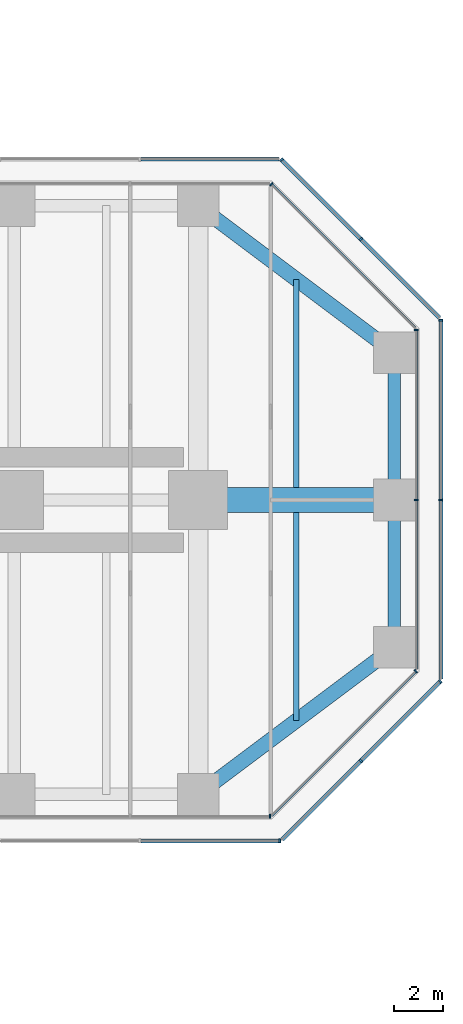
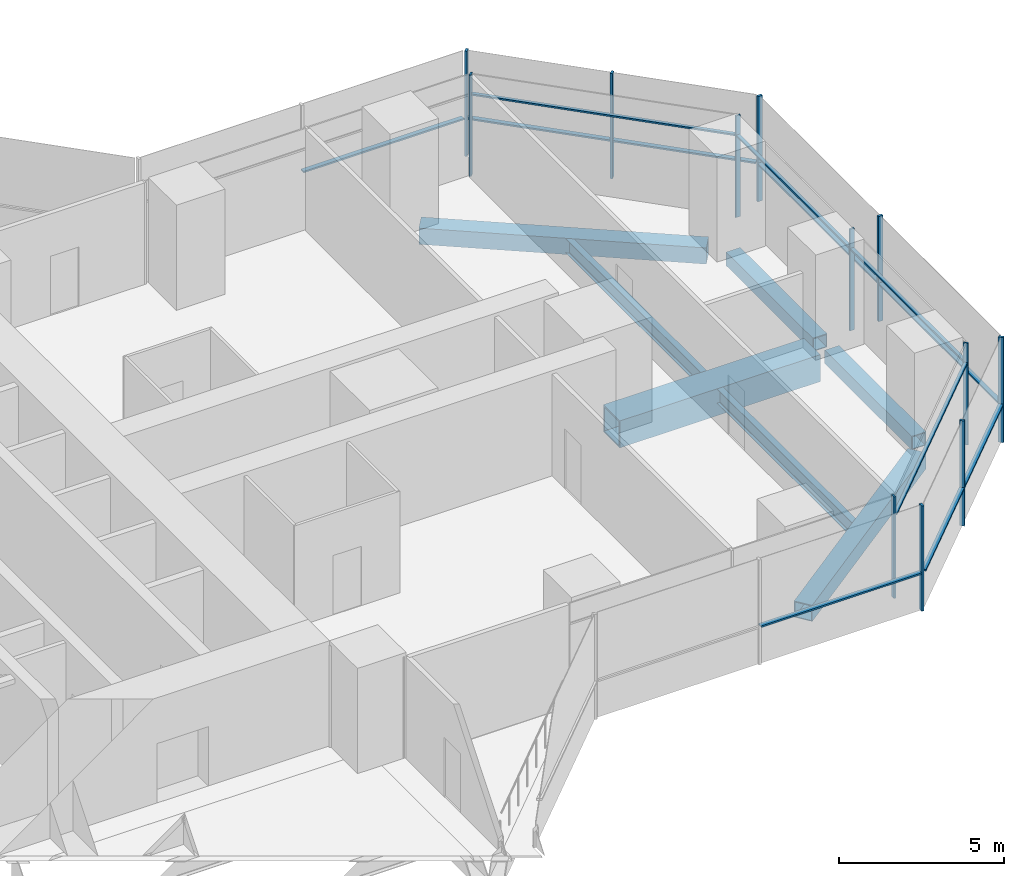
# One storey, part 11 of 20: 24 members, 7 beams, 9 elements without a shape of their own.
"""IFC4 building model written with IfcOpenShell, lengths in metres."""

import ifcopenshell
import ifcopenshell.guid

model = None  # the IFC model being written
_history = None  # IfcOwnerHistory: only IFC2X3 demands one
_inside = {}  # id of a spatial element -> (the spatial element, [elements in it])
_under = {}  # id of a project, library or spatial element -> (it, [spatial elements below it])
_declared = {}  # id of a project -> (the project, [libraries it declares])
_typed = {}  # id of a type object -> (the type object, [elements of that type])
_made_of = {}  # id of a material, layer set ... -> (it, [elements and type objects made of it])


def new_model(schema):
    """Start an empty IFC model of exactly this schema.

    Asked for "IFC4X3", IfcOpenShell would pick the latest addendum, in which some entities
    have other attributes; the version numbers below select the first issue.
    IFC2X3 requires an IfcOwnerHistory on every rooted entity: one is made here for all.
    """
    global model, _history
    if schema == "IFC4X3":
        model = ifcopenshell.file(schema_version=(4, 3, 0, 0))
    else:
        model = ifcopenshell.file(schema=schema)
    _inside.clear()
    _under.clear()
    _declared.clear()
    _typed.clear()
    _made_of.clear()
    _history = None
    if model.schema == "IFC2X3":
        org = make("IfcOrganization", Name="unknown")
        user = make(
            "IfcPersonAndOrganization",
            ThePerson=make("IfcPerson", FamilyName="unknown"),
            TheOrganization=org,
        )
        app = make(
            "IfcApplication",
            ApplicationDeveloper=org,
            Version="unknown",
            ApplicationFullName="unknown",
            ApplicationIdentifier="unknown",
        )
        _history = make(
            "IfcOwnerHistory",
            OwningUser=user,
            OwningApplication=app,
            ChangeAction="ADDED",
            CreationDate=0,
        )
    return model


def make(cls, **values):
    """One entity of the class cls with the attributes given. An attribute that is None is left unset."""
    return model.create_entity(
        cls, **{name: value for name, value in values.items() if value is not None}
    )


def rooted(cls, **values):
    """An entity with a GlobalId (a new one), such as an element, a storey or a relation."""
    return make(cls, GlobalId=ifcopenshell.guid.new(), OwnerHistory=_history, **values)


def si_unit(unit_type, name, prefix=None):
    """IfcSIUnit, for example si_unit("LENGTHUNIT", "METRE", prefix="MILLI")."""
    return make("IfcSIUnit", UnitType=unit_type, Prefix=prefix, Name=name)


def assignment(units):
    """IfcUnitAssignment: the units of a project."""
    return None if units is None else make("IfcUnitAssignment", Units=units)


def point(xyz):
    """IfcCartesianPoint."""
    return None if xyz is None else make("IfcCartesianPoint", Coordinates=xyz)


def direction(xyz):
    """IfcDirection."""
    return None if xyz is None else make("IfcDirection", DirectionRatios=xyz)


def frame(location, z_axis=None, x_axis=None):
    """IfcAxis2Placement3D, a coordinate frame: its origin and axes. An axis left out is left unset."""
    return make(
        "IfcAxis2Placement3D",
        Location=point(location),
        Axis=direction(z_axis),
        RefDirection=direction(x_axis),
    )


def frame_2d(location, x_axis=None):
    """IfcAxis2Placement2D, a coordinate frame in the plane: its origin and x axis."""
    return make(
        "IfcAxis2Placement2D", Location=point(location), RefDirection=direction(x_axis)
    )


def origin():
    """The frame at (0, 0, 0) with its axes left unset."""
    return frame((0.0, 0.0, 0.0))


def origin_2d():
    """The frame at (0, 0) in the plane with its x axis left unset."""
    return frame_2d((0.0, 0.0))


def place(relative_to, where):
    """IfcLocalPlacement: puts the frame where relative to a parent placement (None: the world)."""
    return make(
        "IfcLocalPlacement", PlacementRelTo=relative_to, RelativePlacement=where
    )


def context(
    kind, dimensions, precision=None, world=None, true_north=None, identifier=None
):
    """IfcGeometricRepresentationContext, for example the 3D "Model" context."""
    return make(
        "IfcGeometricRepresentationContext",
        ContextIdentifier=identifier,
        ContextType=kind,
        CoordinateSpaceDimension=dimensions,
        Precision=precision,
        WorldCoordinateSystem=world,
        TrueNorth=true_north,
    )


def subcontext(parent, identifier, kind, view, scale=None):
    """IfcGeometricRepresentationSubContext, for example "Body" below "Model"."""
    return make(
        "IfcGeometricRepresentationSubContext",
        ContextIdentifier=identifier,
        ContextType=kind,
        ParentContext=parent,
        TargetScale=scale,
        TargetView=view,
    )


def project(units=None, contexts=None):
    """IfcProject with its units and contexts."""
    return rooted(
        "IfcProject",
        Name="project",
        RepresentationContexts=contexts,
        UnitsInContext=assignment(units),
    )


def spatial(cls, under=None, at=None, **own):
    """A site, building, storey or space (cls), placed at a placement, below another one or the project."""
    s = rooted(cls, ObjectPlacement=at, **own)
    if under is not None:
        _under.setdefault(under.id(), (under, []))[1].append(s)
    return s


def profile(cls, at=None, kind="AREA", **sizes):
    """A parametric profile (cls). Its sizes go by their IFC names, for example OverallWidth=200.0."""
    return make(cls, ProfileType=kind, Position=at, **sizes)


def rectangle(**sizes):
    """IfcRectangleProfileDef."""
    return profile("IfcRectangleProfileDef", **sizes)


def hollow_rectangle(**sizes):
    """IfcRectangleHollowProfileDef."""
    return profile("IfcRectangleHollowProfileDef", **sizes)


def i_section(**sizes):
    """IfcIShapeProfileDef."""
    return profile("IfcIShapeProfileDef", **sizes)


def extrude(swept, where, along, depth):
    """IfcExtrudedAreaSolid: the profile swept, set in the frame where, extruded along a direction by depth."""
    return make(
        "IfcExtrudedAreaSolid",
        SweptArea=swept,
        Position=where,
        ExtrudedDirection=direction(along),
        Depth=depth,
    )


def shape(context_of_items, identifier, shape_type, items):
    """IfcShapeRepresentation: the items that make up one representation, for example the "Body"."""
    return make(
        "IfcShapeRepresentation",
        ContextOfItems=context_of_items,
        RepresentationIdentifier=identifier,
        RepresentationType=shape_type,
        Items=items,
    )


def material(Name=None, Category=None):
    """IfcMaterial."""
    return make("IfcMaterial", Name=Name, Category=Category)


def material_profile(
    of_material, cross_section, Name=None, Category=None, Priority=None
):
    """IfcMaterialProfile: a cross section and its material."""
    return make(
        "IfcMaterialProfile",
        Name=Name,
        Material=of_material,
        Profile=cross_section,
        Priority=Priority,
        Category=Category,
    )


def profile_set(profiles, Name=None, composite=None):
    """IfcMaterialProfileSet."""
    return make(
        "IfcMaterialProfileSet",
        Name=Name,
        MaterialProfiles=profiles,
        CompositeProfile=composite,
    )


def made_of(thing, what):
    """Note that an element or type object is made of a material, layer set ...; save() writes the relation."""
    if what is not None:
        _made_of.setdefault(what.id(), (what, []))[1].append(thing)
    return thing


def type_object(cls, material=None, **own):
    """A type object (cls), such as IfcWallType, which elements share."""
    return made_of(rooted(cls, **own), material)


def element(
    cls,
    number,
    at=None,
    inside=None,
    cuts=None,
    type_object=None,
    material=None,
    context=None,
    identifier="Body",
    shape_type=None,
    held_by="IfcProductDefinitionShape",
    body=None,
    shapes=None,
    **own,
):
    """One element of the class cls, such as IfcWall. Its Tag is "e" and its number.

    at: its placement. inside: the storey or other place that contains it. cuts: it is an
    opening in that element (IfcRelVoidsElement). A single representation is given by context,
    identifier, shape_type and body (its items); several are given by shapes. held_by: the class
    of the entity that holds the representations. save() writes the other relations.
    """
    e = rooted(cls, Tag="e%d" % number, ObjectPlacement=at, **own)
    if body is not None:
        shapes = [shape(context, identifier, shape_type, body)]
    if shapes is not None:
        e.Representation = make(held_by, Representations=shapes)
    if inside is not None:
        _inside.setdefault(inside.id(), (inside, []))[1].append(e)
    if cuts is not None:
        rooted(
            "IfcRelVoidsElement", RelatingBuildingElement=cuts, RelatedOpeningElement=e
        )
    if type_object is not None:
        _typed.setdefault(type_object.id(), (type_object, []))[1].append(e)
    return made_of(e, material)


def aggregate(whole, parts):
    """IfcRelAggregates: a whole, such as a stair, and the parts it consists of."""
    return rooted("IfcRelAggregates", RelatingObject=whole, RelatedObjects=parts)


def save(model, path):
    """Write the relations noted so far, then the file.

    IfcRelAggregates (storeys below a building ...), IfcRelContainedInSpatialStructure (elements
    in a storey), IfcRelDefinesByType, IfcRelAssociatesMaterial and IfcRelDeclares: one each for
    every whole, place, type object, material and project.
    """
    for whole, parts in _under.values():
        aggregate(whole, parts)
    for where, things in _inside.values():
        rooted(
            "IfcRelContainedInSpatialStructure",
            RelatedElements=things,
            RelatingStructure=where,
        )
    for kind, things in _typed.values():
        rooted("IfcRelDefinesByType", RelatedObjects=things, RelatingType=kind)
    for what, things in _made_of.values():
        rooted("IfcRelAssociatesMaterial", RelatedObjects=things, RelatingMaterial=what)
    for by, libraries in _declared.values():
        rooted("IfcRelDeclares", RelatingContext=by, RelatedDefinitions=libraries)
    model.write(path)


model = new_model("IFC4")

# Units and contexts
model_context = context("Model", 3, precision=1e-05, world=origin(), true_north=direction((0.0, 1.0)))
body_context = subcontext(model_context, "Body", "Model", "MODEL_VIEW")
ifc_project = project(units=[si_unit("LENGTHUNIT", "METRE"), si_unit("AREAUNIT", "SQUARE_METRE"), si_unit("VOLUMEUNIT", "CUBIC_METRE"), si_unit("PLANEANGLEUNIT", "RADIAN"), si_unit("MASSUNIT", "GRAM", prefix="KILO")], contexts=[model_context])

# Site, building, storey
site_placement = place(None, origin())
site = spatial("IfcSite", under=ifc_project, at=site_placement, CompositionType="ELEMENT")
building_placement = place(site_placement, origin())
building = spatial("IfcBuilding", under=site, at=building_placement, Name="Mizan Broadcast Tower", CompositionType="ELEMENT")
storey_placement = place(building_placement, frame((0.0, 0.0, 190.5)))
storey = spatial("IfcBuildingStorey", under=building, at=storey_placement, Name="L44", CompositionType="ELEMENT", Elevation=190.5)

# Beams
ifc_material_1 = material(Name="Steel S355", Category="steel")
ifc_material_profile_1 = material_profile(ifc_material_1, hollow_rectangle(XDim=0.5, YDim=0.5, WallThickness=0.030029296875, at=origin_2d()), Name="BOX 500x500x30")
ifc_profile_set_1 = profile_set([ifc_material_profile_1], Name="Steel S355")
beam_type_1 = type_object("IfcBeamType", Name="EDGE BEAM BOX 500x500x30", PredefinedType="SPANDREL", material=ifc_profile_set_1)
for number, where, z_axis, x_axis, name in (
    (1, (35.0, -5.639892578125, -0.3798828125), (0.0, 1.0, 0.0), (-1.0, 0.0, 0.0), "Edge beam BOX 500x500x30 L44 east arm"),
    (2, (35.0, 5.639892578125, -0.3798828125), (0.0, -1.0, 0.0), (1.0, 0.0, 0.0), "Edge beam BOX 500x500x30 L44 east arm"),
):
    element("IfcBeam", number, at=place(storey_placement, frame(where, z_axis=z_axis, x_axis=x_axis)), inside=storey, type_object=beam_type_1, Name=name, PredefinedType="SPANDREL", context=body_context, shape_type="SweptSolid", body=[
        extrude(hollow_rectangle(XDim=0.5, YDim=0.5, WallThickness=0.030029296875, at=origin_2d()), origin(), (0.0, 0.0, 1.0), 5.27978515625),
    ])
ifc_material_2 = material(Name="Steel S355", Category="steel")
ifc_material_profile_2 = material_profile(ifc_material_2, hollow_rectangle(XDim=0.60009765625, YDim=0.60009765625, WallThickness=0.030029296875, at=origin_2d()), Name="BOX 600x600x30")
ifc_profile_set_2 = profile_set([ifc_material_profile_2], Name="Steel S355")
beam_type_2 = type_object("IfcBeamType", Name="EDGE BEAM BOX 600x600x30", PredefinedType="SPANDREL", material=ifc_profile_set_2)
for number, where, z_axis, x_axis, name in (
    (3, (27.47998046875, -11.639892578125, -0.429931640625), (0.800013316712, 0.599982243973, 0.0), (-0.599982243973, 0.800013316712, 0.0), "Edge beam BOX 600x600x30 L44 east arm"),
    (4, (27.47998046875, 11.639892578125, -0.429931640625), (0.800013316712, -0.599982243973, 0.0), (0.599982243973, 0.800013316712, 0.0), "Edge beam BOX 600x600x30 L44 east arm"),
):
    element("IfcBeam", number, at=place(storey_placement, frame(where, z_axis=z_axis, x_axis=x_axis)), inside=storey, type_object=beam_type_2, Name=name, PredefinedType="SPANDREL", context=body_context, shape_type="SweptSolid", body=[
        extrude(hollow_rectangle(XDim=0.60009765625, YDim=0.60009765625, WallThickness=0.030029296875, at=origin_2d()), origin(), (0.0, 0.0, 1.0), 8.7998046875),
    ])
ifc_material_3 = material(Name="Steel S460", Category="steel")
ifc_material_profile_3 = material_profile(ifc_material_3, hollow_rectangle(XDim=1.0, YDim=1.0, WallThickness=0.06005859375, at=origin_2d()), Name="BOX 1000x1000x60")
ifc_profile_set_3 = profile_set([ifc_material_profile_3], Name="Steel S460")
beam_type_3 = type_object("IfcBeamType", Name="GIRDER BOX 1000x1000x60", PredefinedType="BEAM", material=ifc_profile_set_3)
beam_placement = place(storey_placement, frame((27.47998046875, 0.0, -0.6298828125), z_axis=(1.0, 0.0, 0.0), x_axis=(0.0, 1.0, 0.0)))
element("IfcBeam", 5, at=beam_placement, inside=storey, type_object=beam_type_3, Name="Girder BOX 1000x1000x60 L44 east arm", PredefinedType="BEAM", context=body_context, shape_type="SweptSolid", body=[
    extrude(hollow_rectangle(XDim=1.0, YDim=1.0, WallThickness=0.06005859375, at=origin_2d()), origin(), (0.0, 0.0, 1.0), 7.0400390625),
])

# Curtain wall, member
ifc_material_4 = material(Name="Aluminium framed glazing", Category="aluminium")
curtain_wall_type_1 = type_object("IfcCurtainWallType", Name="INNER SKIN MID ZONE", PredefinedType="USERDEFINED", material=ifc_material_4)
curtain_wall_1_placement = place(storey_placement, origin())
curtain_wall_1 = element("IfcCurtainWall", 6, at=curtain_wall_1_placement, inside=storey, type_object=curtain_wall_type_1, Name="Inner skin mid zone L44 E side", ObjectType="INNER SKIN MID ZONE", PredefinedType="USERDEFINED")
ifc_material_5 = material(Name="Aluminium, pale anodised", Category="aluminium")
ifc_material_profile_4 = material_profile(ifc_material_5, rectangle(XDim=0.159912109375, YDim=0.06005859375, at=origin_2d()), Name="MULLION 160x60")
ifc_profile_set_4 = profile_set([ifc_material_profile_4], Name="Aluminium, pale anodised")
member_type_1 = type_object("IfcMemberType", Name="INNER SKIN MULLION 60x160", PredefinedType="MULLION", material=ifc_profile_set_4)
member_1_placement = place(storey_placement, frame((29.928466796875, -12.89990234375, 0.0), z_axis=(0.0, 0.0, 1.0), x_axis=(0.0, 1.0, 0.0)))
member_1 = element("IfcMember", 7, at=member_1_placement, type_object=member_type_1, Name="Inner skin mid zone L44 E side mullion 3", PredefinedType="MULLION", context=body_context, shape_type="SweptSolid", body=[
    extrude(rectangle(XDim=0.159912109375, YDim=0.06005859375, at=origin_2d()), origin(), (0.0, 0.0, 1.0), 3.77001953125),
])
aggregate(curtain_wall_1, [member_1])

curtain_wall_2_placement = place(storey_placement, origin())
curtain_wall_2 = element("IfcCurtainWall", 8, at=curtain_wall_2_placement, inside=storey, type_object=curtain_wall_type_1, Name="Inner skin mid zone L44 E chamfer", ObjectType="INNER SKIN MID ZONE", PredefinedType="USERDEFINED")
member_2_placement = place(storey_placement, frame((35.87890625, -6.979736328125, 0.0), z_axis=(0.0, 0.0, 1.0), x_axis=(-0.707106781187, 0.707106781187, 0.0)))
member_2 = element("IfcMember", 9, at=member_2_placement, type_object=member_type_1, Name="Inner skin mid zone L44 E chamfer mullion 2", PredefinedType="MULLION", context=body_context, shape_type="SweptSolid", body=[
    extrude(rectangle(XDim=0.159912109375, YDim=0.06005859375, at=origin_2d()), origin(), (0.0, 0.0, 1.0), 3.77001953125),
])

# Curtain wall, members
curtain_wall_3_placement = place(storey_placement, origin())
curtain_wall_3 = element("IfcCurtainWall", 10, at=curtain_wall_3_placement, inside=storey, type_object=curtain_wall_type_1, Name="Inner skin mid zone L44 E end", ObjectType="INNER SKIN MID ZONE", PredefinedType="USERDEFINED")
member_3_placement = place(storey_placement, frame((35.89990234375, 0.0, 0.0), z_axis=(0.0, 0.0, 1.0), x_axis=(-1.0, 0.0, 0.0)))
member_3 = element("IfcMember", 11, at=member_3_placement, type_object=member_type_1, Name="Inner skin mid zone L44 E end mullion 2", PredefinedType="MULLION", context=body_context, shape_type="SweptSolid", body=[
    extrude(rectangle(XDim=0.159912109375, YDim=0.06005859375, at=origin_2d()), origin(), (0.0, 0.0, 1.0), 3.77001953125),
])
member_4_placement = place(storey_placement, frame((35.89990234375, 6.928466796875, 0.0), z_axis=(0.0, 0.0, 1.0), x_axis=(-1.0, 0.0, 0.0)))
member_4 = element("IfcMember", 12, at=member_4_placement, type_object=member_type_1, Name="Inner skin mid zone L44 E end mullion 3", PredefinedType="MULLION", context=body_context, shape_type="SweptSolid", body=[
    extrude(rectangle(XDim=0.159912109375, YDim=0.06005859375, at=origin_2d()), origin(), (0.0, 0.0, 1.0), 3.77001953125),
])

# Curtain wall, member
curtain_wall_4_placement = place(storey_placement, origin())
curtain_wall_4 = element("IfcCurtainWall", 13, at=curtain_wall_4_placement, inside=storey, type_object=curtain_wall_type_1, Name="Inner skin mid zone L44 E chamfer", ObjectType="INNER SKIN MID ZONE", PredefinedType="USERDEFINED")
member_5_placement = place(storey_placement, frame((29.979736328125, 12.87890625, 0.0), z_axis=(0.0, 0.0, 1.0), x_axis=(-0.707106781187, -0.707106781187, 0.0)))
member_5 = element("IfcMember", 14, at=member_5_placement, type_object=member_type_1, Name="Inner skin mid zone L44 E chamfer mullion 2", PredefinedType="MULLION", context=body_context, shape_type="SweptSolid", body=[
    extrude(rectangle(XDim=0.159912109375, YDim=0.06005859375, at=origin_2d()), origin(), (0.0, 0.0, 1.0), 3.77001953125),
])

# Member
ifc_material_6 = material(Name="Aluminium, pale anodised", Category="aluminium")
ifc_material_profile_5 = material_profile(ifc_material_6, rectangle(XDim=0.1201171875, YDim=0.06005859375, at=origin_2d()), Name="TRANSOM 120x60")
ifc_profile_set_5 = profile_set([ifc_material_profile_5], Name="Aluminium, pale anodised")
member_type_2 = type_object("IfcMemberType", Name="INNER SKIN TRANSOM 60x120", PredefinedType="USERDEFINED", material=ifc_profile_set_5)
member_6_placement = place(storey_placement, frame((30.0009765625, -12.857666015625, 3.030029296875), z_axis=(0.707106781187, 0.707106781187, 0.0), x_axis=(-0.707106781187, 0.707106781187, 0.0)))
member_6 = element("IfcMember", 15, at=member_6_placement, type_object=member_type_2, Name="Inner skin mid zone L44 E chamfer transom 1.1", ObjectType="TRANSOM", PredefinedType="USERDEFINED", context=body_context, shape_type="SweptSolid", body=[
    extrude(rectangle(XDim=0.1201171875, YDim=0.06005859375, at=origin_2d()), origin(), (0.0, 0.0, 1.0), 8.28271484375),
])

aggregate(curtain_wall_2, [member_2, member_6])

member_7_placement = place(storey_placement, frame((35.89990234375, -6.898681640625, 3.030029296875), z_axis=(0.0, 1.0, 0.0), x_axis=(-1.0, 0.0, 0.0)))
member_7 = element("IfcMember", 16, at=member_7_placement, type_object=member_type_2, Name="Inner skin mid zone L44 E end transom 1.1", ObjectType="TRANSOM", PredefinedType="USERDEFINED", context=body_context, shape_type="SweptSolid", body=[
    extrude(rectangle(XDim=0.1201171875, YDim=0.06005859375, at=origin_2d()), origin(), (0.0, 0.0, 1.0), 6.86865234375),
])

member_8_placement = place(storey_placement, frame((35.89990234375, 0.030029296875, 3.030029296875), z_axis=(0.0, 1.0, 0.0), x_axis=(-1.0, 0.0, 0.0)))
member_8 = element("IfcMember", 17, at=member_8_placement, type_object=member_type_2, Name="Inner skin mid zone L44 E end transom 2.1", ObjectType="TRANSOM", PredefinedType="USERDEFINED", context=body_context, shape_type="SweptSolid", body=[
    extrude(rectangle(XDim=0.1201171875, YDim=0.06005859375, at=origin_2d()), origin(), (0.0, 0.0, 1.0), 6.86865234375),
])

aggregate(curtain_wall_3, [member_3, member_4, member_7, member_8])

member_9_placement = place(storey_placement, frame((35.857666015625, 7.0009765625, 3.030029296875), z_axis=(-0.707106781187, 0.707106781187, 0.0), x_axis=(-0.707106781187, -0.707106781187, 0.0)))
member_9 = element("IfcMember", 18, at=member_9_placement, type_object=member_type_2, Name="Inner skin mid zone L44 E chamfer transom 1.1", ObjectType="TRANSOM", PredefinedType="USERDEFINED", context=body_context, shape_type="SweptSolid", body=[
    extrude(rectangle(XDim=0.1201171875, YDim=0.06005859375, at=origin_2d()), origin(), (0.0, 0.0, 1.0), 8.28271484375),
])

aggregate(curtain_wall_4, [member_5, member_9])

# Curtain wall, members
ifc_material_7 = material(Name="Aluminium framed glazing", Category="aluminium")
curtain_wall_type_2 = type_object("IfcCurtainWallType", Name="OUTER SKIN", PredefinedType="USERDEFINED", material=ifc_material_7)
curtain_wall_5_placement = place(storey_placement, origin())
curtain_wall_5 = element("IfcCurtainWall", 19, at=curtain_wall_5_placement, inside=storey, type_object=curtain_wall_type_2, Name="Outer skin L44 E chamfer", ObjectType="OUTER SKIN", PredefinedType="USERDEFINED")
ifc_material_8 = material(Name="Aluminium, pale anodised", Category="aluminium")
ifc_material_profile_6 = material_profile(ifc_material_8, rectangle(XDim=0.159912109375, YDim=0.080078125, at=origin_2d()), Name="MULLION 160x80")
ifc_profile_set_6 = profile_set([ifc_material_profile_6], Name="Aluminium, pale anodised")
member_type_3 = type_object("IfcMemberType", Name="OUTER SKIN MULLION 80x160", PredefinedType="MULLION", material=ifc_profile_set_6)
member_10_placement = place(storey_placement, frame((33.636474609375, -10.636474609375, 0.0), z_axis=(0.0, 0.0, 1.0), x_axis=(-0.707106781187, 0.707106781187, 0.0)))
member_10 = element("IfcMember", 20, at=member_10_placement, type_object=member_type_3, Name="Outer skin L44 E chamfer mullion 2", PredefinedType="MULLION", context=body_context, shape_type="SweptSolid", body=[
    extrude(rectangle(XDim=0.159912109375, YDim=0.080078125, at=origin_2d()), origin(), (0.0, 0.0, 1.0), 3.89990234375),
])
member_11_placement = place(storey_placement, frame((36.871826171875, -7.401123046875, 0.0), z_axis=(0.0, 0.0, 1.0), x_axis=(-0.707106781187, 0.707106781187, 0.0)))
member_11 = element("IfcMember", 21, at=member_11_placement, type_object=member_type_3, Name="Outer skin L44 E chamfer mullion 3", PredefinedType="MULLION", context=body_context, shape_type="SweptSolid", body=[
    extrude(rectangle(XDim=0.159912109375, YDim=0.080078125, at=origin_2d()), origin(), (0.0, 0.0, 1.0), 3.89990234375),
])

curtain_wall_6_placement = place(storey_placement, origin())
curtain_wall_6 = element("IfcCurtainWall", 22, at=curtain_wall_6_placement, inside=storey, type_object=curtain_wall_type_2, Name="Outer skin L44 E end", ObjectType="OUTER SKIN", PredefinedType="USERDEFINED")
member_12_placement = place(storey_placement, frame((36.89990234375, 0.0, 0.0), z_axis=(0.0, 0.0, 1.0), x_axis=(-1.0, 0.0, 0.0)))
member_12 = element("IfcMember", 23, at=member_12_placement, type_object=member_type_3, Name="Outer skin L44 E end mullion 2", PredefinedType="MULLION", context=body_context, shape_type="SweptSolid", body=[
    extrude(rectangle(XDim=0.159912109375, YDim=0.080078125, at=origin_2d()), origin(), (0.0, 0.0, 1.0), 3.89990234375),
])
member_13_placement = place(storey_placement, frame((36.89990234375, 7.332763671875, 0.0), z_axis=(0.0, 0.0, 1.0), x_axis=(-1.0, 0.0, 0.0)))
member_13 = element("IfcMember", 24, at=member_13_placement, type_object=member_type_3, Name="Outer skin L44 E end mullion 3", PredefinedType="MULLION", context=body_context, shape_type="SweptSolid", body=[
    extrude(rectangle(XDim=0.159912109375, YDim=0.080078125, at=origin_2d()), origin(), (0.0, 0.0, 1.0), 3.89990234375),
])

curtain_wall_7_placement = place(storey_placement, origin())
curtain_wall_7 = element("IfcCurtainWall", 25, at=curtain_wall_7_placement, inside=storey, type_object=curtain_wall_type_2, Name="Outer skin L44 E chamfer", ObjectType="OUTER SKIN", PredefinedType="USERDEFINED")
member_14_placement = place(storey_placement, frame((33.636474609375, 10.636474609375, 0.0), z_axis=(0.0, 0.0, 1.0), x_axis=(-0.707106781187, -0.707106781187, 0.0)))
member_14 = element("IfcMember", 26, at=member_14_placement, type_object=member_type_3, Name="Outer skin L44 E chamfer mullion 2", PredefinedType="MULLION", context=body_context, shape_type="SweptSolid", body=[
    extrude(rectangle(XDim=0.159912109375, YDim=0.080078125, at=origin_2d()), origin(), (0.0, 0.0, 1.0), 3.89990234375),
])
member_15_placement = place(storey_placement, frame((30.401123046875, 13.871826171875, 0.0), z_axis=(0.0, 0.0, 1.0), x_axis=(-0.707106781187, -0.707106781187, 0.0)))
member_15 = element("IfcMember", 27, at=member_15_placement, type_object=member_type_3, Name="Outer skin L44 E chamfer mullion 3", PredefinedType="MULLION", context=body_context, shape_type="SweptSolid", body=[
    extrude(rectangle(XDim=0.159912109375, YDim=0.080078125, at=origin_2d()), origin(), (0.0, 0.0, 1.0), 3.89990234375),
])

# Curtain wall, member
curtain_wall_8_placement = place(storey_placement, origin())
curtain_wall_8 = element("IfcCurtainWall", 28, at=curtain_wall_8_placement, inside=storey, type_object=curtain_wall_type_2, Name="Outer skin L44 E side", ObjectType="OUTER SKIN", PredefinedType="USERDEFINED")
member_16_placement = place(storey_placement, frame((30.332763671875, -13.89990234375, 0.0), z_axis=(0.0, 0.0, 1.0), x_axis=(0.0, 1.0, 0.0)))
member_16 = element("IfcMember", 29, at=member_16_placement, type_object=member_type_3, Name="Outer skin L44 E side mullion 3", PredefinedType="MULLION", context=body_context, shape_type="SweptSolid", body=[
    extrude(rectangle(XDim=0.159912109375, YDim=0.080078125, at=origin_2d()), origin(), (0.0, 0.0, 1.0), 3.89990234375),
])

# Member
ifc_material_9 = material(Name="Aluminium, pale anodised", Category="aluminium")
ifc_material_profile_7 = material_profile(ifc_material_9, rectangle(XDim=0.159912109375, YDim=0.06005859375, at=origin_2d()), Name="TRANSOM 160x60")
ifc_profile_set_7 = profile_set([ifc_material_profile_7], Name="Aluminium, pale anodised")
member_type_4 = type_object("IfcMemberType", Name="OUTER SKIN TRANSOM 60x160", PredefinedType="USERDEFINED", material=ifc_profile_set_7)
member_17_placement = place(storey_placement, frame((30.429443359375, -13.843505859375, 1.39990234375), z_axis=(0.707106781187, 0.707106781187, 0.0), x_axis=(-0.707106781187, 0.707106781187, 0.0)))
member_17 = element("IfcMember", 30, at=member_17_placement, type_object=member_type_4, Name="Outer skin L44 E chamfer transom 1.1", ObjectType="TRANSOM", PredefinedType="USERDEFINED", context=body_context, shape_type="SweptSolid", body=[
    extrude(rectangle(XDim=0.159912109375, YDim=0.06005859375, at=origin_2d()), origin(), (0.0, 0.0, 1.0), 4.495361328125),
])

member_18_placement = place(storey_placement, frame((33.664794921875, -10.608154296875, 1.39990234375), z_axis=(0.707106781187, 0.707106781187, 0.0), x_axis=(-0.707106781187, 0.707106781187, 0.0)))
member_18 = element("IfcMember", 31, at=member_18_placement, type_object=member_type_4, Name="Outer skin L44 E chamfer transom 2.1", ObjectType="TRANSOM", PredefinedType="USERDEFINED", context=body_context, shape_type="SweptSolid", body=[
    extrude(rectangle(XDim=0.159912109375, YDim=0.06005859375, at=origin_2d()), origin(), (0.0, 0.0, 1.0), 4.495361328125),
])

aggregate(curtain_wall_5, [member_10, member_11, member_17, member_18])

member_19_placement = place(storey_placement, frame((36.89990234375, -7.292724609375, 1.39990234375), z_axis=(0.0, 1.0, 0.0), x_axis=(-1.0, 0.0, 0.0)))
member_19 = element("IfcMember", 32, at=member_19_placement, type_object=member_type_4, Name="Outer skin L44 E end transom 1.1", ObjectType="TRANSOM", PredefinedType="USERDEFINED", context=body_context, shape_type="SweptSolid", body=[
    extrude(rectangle(XDim=0.159912109375, YDim=0.06005859375, at=origin_2d()), origin(), (0.0, 0.0, 1.0), 7.252685546875),
])

member_20_placement = place(storey_placement, frame((36.89990234375, 0.0400390625, 1.39990234375), z_axis=(0.0, 1.0, 0.0), x_axis=(-1.0, 0.0, 0.0)))
member_20 = element("IfcMember", 33, at=member_20_placement, type_object=member_type_4, Name="Outer skin L44 E end transom 2.1", ObjectType="TRANSOM", PredefinedType="USERDEFINED", context=body_context, shape_type="SweptSolid", body=[
    extrude(rectangle(XDim=0.159912109375, YDim=0.06005859375, at=origin_2d()), origin(), (0.0, 0.0, 1.0), 7.252685546875),
])

aggregate(curtain_wall_6, [member_12, member_13, member_19, member_20])

member_21_placement = place(storey_placement, frame((36.843505859375, 7.429443359375, 1.39990234375), z_axis=(-0.707106781187, 0.707106781187, 0.0), x_axis=(-0.707106781187, -0.707106781187, 0.0)))
member_21 = element("IfcMember", 34, at=member_21_placement, type_object=member_type_4, Name="Outer skin L44 E chamfer transom 1.1", ObjectType="TRANSOM", PredefinedType="USERDEFINED", context=body_context, shape_type="SweptSolid", body=[
    extrude(rectangle(XDim=0.159912109375, YDim=0.06005859375, at=origin_2d()), origin(), (0.0, 0.0, 1.0), 4.495361328125),
])

member_22_placement = place(storey_placement, frame((33.608154296875, 10.664794921875, 1.39990234375), z_axis=(-0.707106781187, 0.707106781187, 0.0), x_axis=(-0.707106781187, -0.707106781187, 0.0)))
member_22 = element("IfcMember", 35, at=member_22_placement, type_object=member_type_4, Name="Outer skin L44 E chamfer transom 2.1", ObjectType="TRANSOM", PredefinedType="USERDEFINED", context=body_context, shape_type="SweptSolid", body=[
    extrude(rectangle(XDim=0.159912109375, YDim=0.06005859375, at=origin_2d()), origin(), (0.0, 0.0, 1.0), 4.495361328125),
])

aggregate(curtain_wall_7, [member_14, member_15, member_21, member_22])

# Curtain wall, member
curtain_wall_9_placement = place(storey_placement, origin())
curtain_wall_9 = element("IfcCurtainWall", 36, at=curtain_wall_9_placement, inside=storey, type_object=curtain_wall_type_2, Name="Outer skin L44 E side", ObjectType="OUTER SKIN", PredefinedType="USERDEFINED")
member_23_placement = place(storey_placement, frame((30.292724609375, 13.89990234375, 1.39990234375), z_axis=(-1.0, 0.0, 0.0), x_axis=(0.0, -1.0, 0.0)))
member_23 = element("IfcMember", 37, at=member_23_placement, type_object=member_type_4, Name="Outer skin L44 E side transom 1.1", ObjectType="TRANSOM", PredefinedType="USERDEFINED", context=body_context, shape_type="SweptSolid", body=[
    extrude(rectangle(XDim=0.159912109375, YDim=0.06005859375, at=origin_2d()), origin(), (0.0, 0.0, 1.0), 5.6298828125),
])
aggregate(curtain_wall_9, [member_23])

# Member
member_24_placement = place(storey_placement, frame((24.662841796875, -13.89990234375, 1.39990234375), z_axis=(1.0, 0.0, 0.0), x_axis=(0.0, 1.0, 0.0)))
member_24 = element("IfcMember", 38, at=member_24_placement, type_object=member_type_4, Name="Outer skin L44 E side transom 2.1", ObjectType="TRANSOM", PredefinedType="USERDEFINED", context=body_context, shape_type="SweptSolid", body=[
    extrude(rectangle(XDim=0.159912109375, YDim=0.06005859375, at=origin_2d()), origin(), (0.0, 0.0, 1.0), 5.6298828125),
])

aggregate(curtain_wall_8, [member_16, member_24])

# Beams
ifc_material_10 = material(Name="Steel S355", Category="steel")
ifc_material_profile_8 = material_profile(ifc_material_10, i_section(OverallWidth=0.2099609375, OverallDepth=0.550048828125, WebThickness=0.010986328125, FlangeThickness=0.01708984375, FilletRadius=0.02392578125, at=origin_2d()), Name="IPE 550")
ifc_profile_set_8 = profile_set([ifc_material_profile_8], Name="Steel S355")
beam_type_4 = type_object("IfcBeamType", Name="SECONDARY BEAM IPE 550", PredefinedType="JOIST", material=ifc_profile_set_8)
for number, where, z_axis, x_axis, name in (
    (39, (31.0, -9.0, -0.405029296875), (0.0, 1.0, 0.0), (-1.0, 0.0, 0.0), "Secondary beam IPE 550 L44 east arm"),
    (40, (31.0, 9.0, -0.405029296875), (0.0, -1.0, 0.0), (1.0, 0.0, 0.0), "Secondary beam IPE 550 L44 east arm"),
):
    element("IfcBeam", number, at=place(storey_placement, frame(where, z_axis=z_axis, x_axis=x_axis)), inside=storey, type_object=beam_type_4, Name=name, PredefinedType="JOIST", context=body_context, shape_type="SweptSolid", body=[
        extrude(i_section(OverallWidth=0.2099609375, OverallDepth=0.550048828125, WebThickness=0.010986328125, FlangeThickness=0.01708984375, FilletRadius=0.02392578125, at=origin_2d()), origin(), (0.0, 0.0, 1.0), 8.5),
    ])

save(model, "model.ifc")
